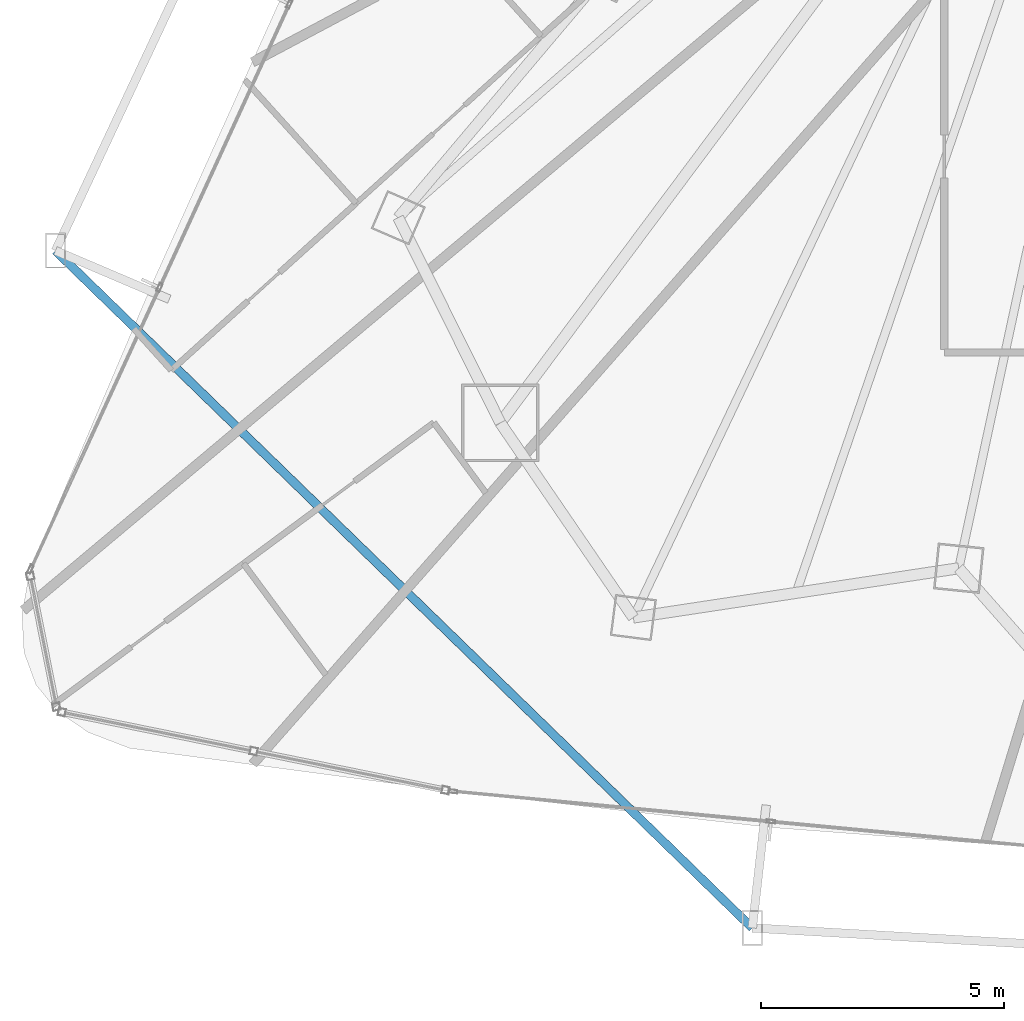
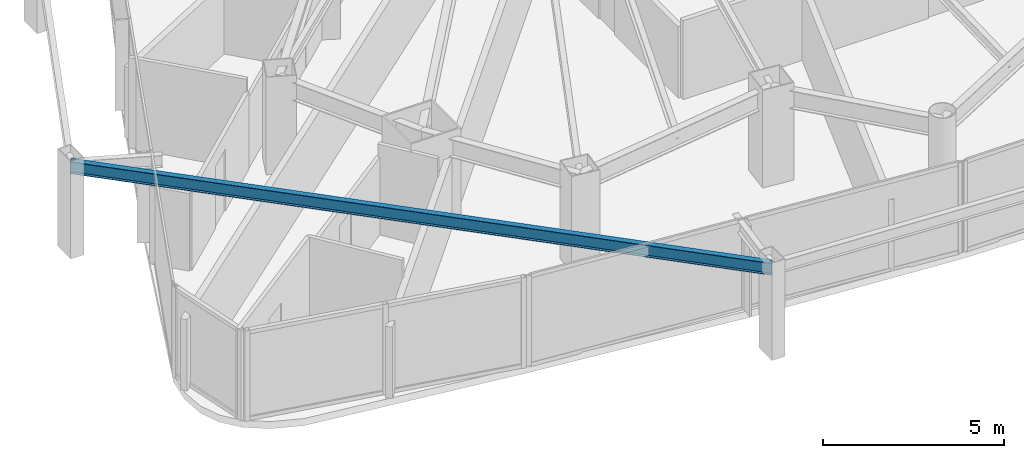
# One storey, part 3 of 38: 1 beam.
"""IFC4 building model written with IfcOpenShell, lengths in metres."""

from ifc_helpers import new_model, si_unit, direction, frame, origin, origin_2d, place, context, subcontext, project, spatial, i_section, extrude, material, material_profile, profile_set, type_object, element, save


model = new_model("IFC4")

# Units and contexts
model_context = context("Model", 3, precision=1e-05, world=origin(), true_north=direction((0.0, 1.0)))
body_context = subcontext(model_context, "Body", "Model", "MODEL_VIEW")
ifc_project = project(units=[si_unit("LENGTHUNIT", "METRE"), si_unit("AREAUNIT", "SQUARE_METRE"), si_unit("VOLUMEUNIT", "CUBIC_METRE"), si_unit("PLANEANGLEUNIT", "RADIAN"), si_unit("MASSUNIT", "GRAM", prefix="KILO")], contexts=[model_context])

# Site, building, storey
site_placement = place(None, origin())
site = spatial("IfcSite", under=ifc_project, at=site_placement, CompositionType="ELEMENT")
building_placement = place(site_placement, origin())
building = spatial("IfcBuilding", under=site, at=building_placement, Name="Orvanel Arch Residences", CompositionType="ELEMENT")
storey_placement = place(building_placement, frame((0.0, 0.0, 43.39990234375)))
storey = spatial("IfcBuildingStorey", under=building, at=storey_placement, Name="L11", CompositionType="ELEMENT", Elevation=43.39990234375)

# Beam
ifc_material = material(Name="Structural steel AS/NZS 3679.1 Grade 300 (300 MPa)", Category="steel")
ifc_material_profile = material_profile(ifc_material, i_section(OverallWidth=0.177978515625, OverallDepth=0.406005859375, WebThickness=0.0078125, FlangeThickness=0.0126953125, at=origin_2d()), Name="410UB59.7")
ifc_profile_set = profile_set([ifc_material_profile], Name="Structural steel AS/NZS 3679.1 Grade 300 (300 MPa)")
beam_type = type_object("IfcBeamType", Name="OB-410UB-EXT", PredefinedType="SPANDREL", material=ifc_profile_set)
beam_placement = place(storey_placement, frame((5.029052734375, 13.90087890625, 2.857177734375), z_axis=(0.71709660899, -0.696973782416, 0.0), x_axis=(0.696973782416, 0.71709660899, 0.0)))
element("IfcBeam", 1, at=beam_placement, inside=storey, type_object=beam_type, Name="L11 Outer Perimeter Floor Ring Beam 04", PredefinedType="SPANDREL", context=body_context, shape_type="SweptSolid", body=[
    extrude(i_section(OverallWidth=0.177978515625, OverallDepth=0.406005859375, WebThickness=0.0078125, FlangeThickness=0.0126953125, at=origin_2d()), origin(), (0.0, 0.0, 1.0), 20.03076171875),
])

save(model, "model.ifc")
